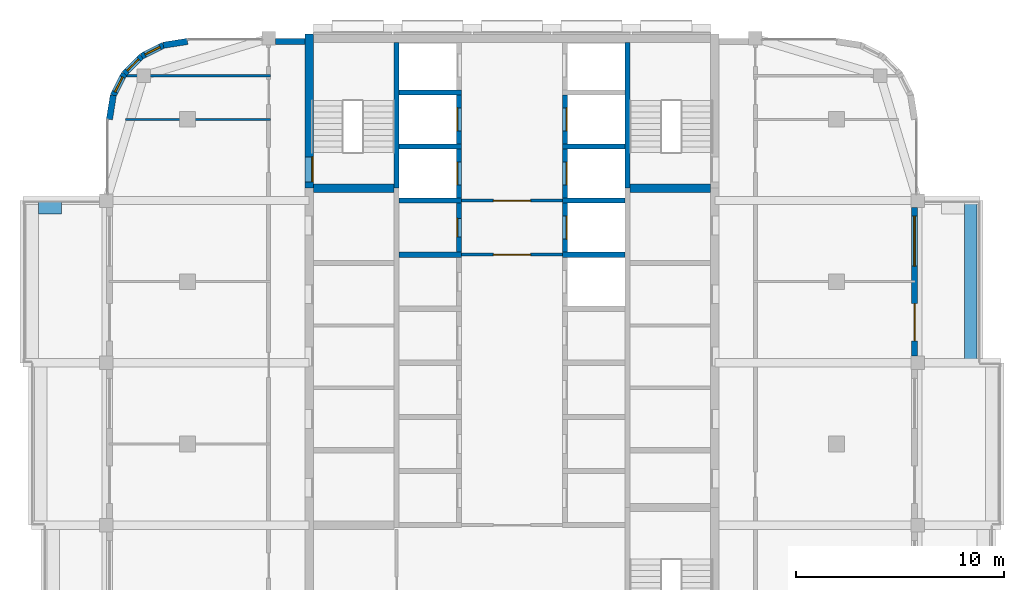
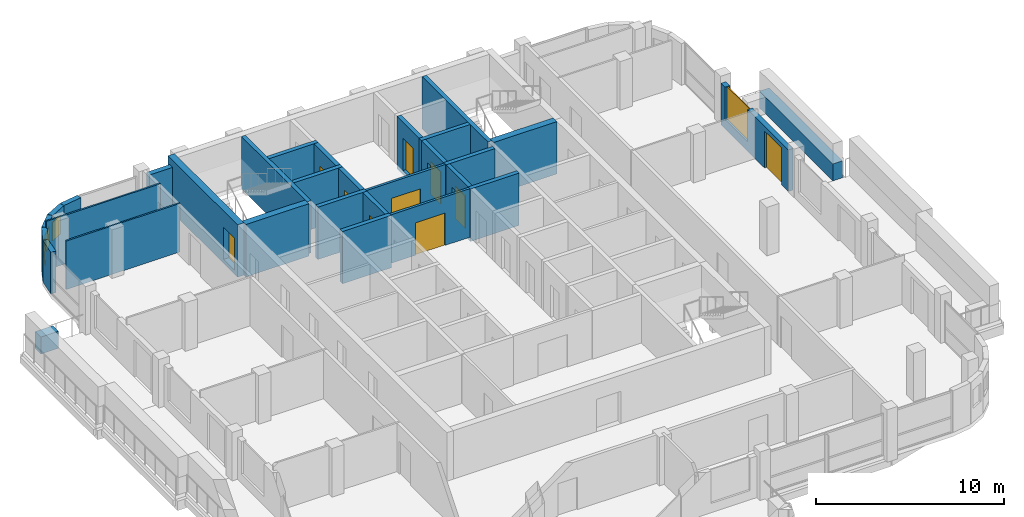
# One storey, part 13 of 19: 31 walls, 10 doors, 4 windows, 14 openings.
"""IFC4 building model written with IfcOpenShell, lengths in metres."""

from ifc_helpers import new_model, si_unit, direction, frame, frame_2d, origin, place, context, subcontext, project, spatial, rectangle, extrude, material, layer, layer_set, type_object, element, fill, save


model = new_model("IFC4")

# Units and contexts
model_context = context("Model", 3, precision=1e-05, world=origin(), true_north=direction((0.0, 1.0)))
body_context = subcontext(model_context, "Body", "Model", "MODEL_VIEW")
ifc_project = project(units=[si_unit("LENGTHUNIT", "METRE"), si_unit("AREAUNIT", "SQUARE_METRE"), si_unit("VOLUMEUNIT", "CUBIC_METRE"), si_unit("PLANEANGLEUNIT", "RADIAN"), si_unit("MASSUNIT", "GRAM", prefix="KILO")], contexts=[model_context])

# Site, building, storey
site_placement = place(None, origin())
site = spatial("IfcSite", under=ifc_project, at=site_placement, CompositionType="ELEMENT")
building_placement = place(site_placement, origin())
building = spatial("IfcBuilding", under=site, at=building_placement, Name="Ludao Terraces", CompositionType="ELEMENT")
storey_placement = place(building_placement, frame((0.0, 0.0, 256.199951171875)))
storey = spatial("IfcBuildingStorey", under=building, at=storey_placement, Name="L70", CompositionType="ELEMENT", Elevation=256.199951171875)

# Wall, opening, door
ifc_material_1 = material(Name="Concrete C50", Category="concrete")
ifc_layer_1 = layer(ifc_material_1, 0.39990234375)
ifc_layer_set_1 = layer_set([ifc_layer_1], Name="Core wall 400 C50")
wall_type_1 = type_object("IfcWallType", Name="Core wall 400 C50", PredefinedType="SOLIDWALL", material=ifc_layer_set_1)
wall_1_placement = place(storey_placement, frame((75.25, 77.300048828125, -0.25), z_axis=(0.0, 0.0, 1.0), x_axis=(0.0, 1.0, 0.0)))
wall_1 = element("IfcWall", 1, at=wall_1_placement, inside=storey, type_object=wall_type_1, Name="Core wall L70 outer-W-S1", PredefinedType="SOLIDWALL", context=body_context, shape_type="SweptSolid", body=[
    extrude(rectangle(XDim=7.39990234375, YDim=0.39990234375, at=frame_2d((3.699951171875, 0.0))), origin(), (0.0, 0.0, 1.0), 3.400146484375),
])
opening_1_placement = place(wall_1_placement, frame((0.300048828125, 0.0, 0.25)))
opening_1 = element("IfcOpeningElement", 2, at=opening_1_placement, cuts=wall_1, Name="Opening C4-039", PredefinedType="OPENING", context=body_context, shape_type="SweptSolid", body=[
    extrude(rectangle(XDim=1.199951171875, YDim=2.10009765625, at=frame_2d((0.60009765625, 1.050048828125))), frame((0.0, 0.2099609375, 0.0), z_axis=(0.0, -1.0, 0.0), x_axis=(1.0, 0.0, 0.0)), (0.0, 0.0, 1.0), 0.419921875),
])
ifc_material_2 = material(Name="Steel Q235", Category="steel")
door_type_1 = type_object("IfcDoorType", Name="INT Stair door 1200", OperationType="DOUBLE_DOOR_SINGLE_SWING", PredefinedType="DOOR", material=ifc_material_2)
door_1_placement = place(opening_1_placement, origin())
door_1 = element("IfcDoor", 3, at=door_1_placement, inside=storey, type_object=door_type_1, Name="DOOR 039", OperationType="DOUBLE_DOOR_SINGLE_SWING", OverallHeight=2.10009765625, OverallWidth=1.199951171875, PredefinedType="DOOR", context=body_context, shape_type="SweptSolid", body=[
    extrude(rectangle(XDim=1.199951171875, YDim=2.10009765625, at=frame_2d((0.60009765625, 1.050048828125))), frame((0.0, -0.134765625, 0.0), z_axis=(0.0, -1.0, 0.0), x_axis=(1.0, 0.0, 0.0)), (0.0, 0.0, 1.0), 0.050048828125),
])
fill(opening_1, door_1)

# Walls
ifc_material_3 = material(Name="Concrete C40", Category="concrete")
ifc_layer_2 = layer(ifc_material_3, 0.60009765625)
ifc_layer_set_2 = layer_set([ifc_layer_2], Name="ENV Planter trough 600")
wall_type_2 = type_object("IfcWallType", Name="ENV Planter trough 600", PredefinedType="USERDEFINED", material=ifc_layer_set_2)
wall_2_placement = place(storey_placement, frame((107.050048828125, 68.89990234375, 0.0), z_axis=(0.0, 0.0, 1.0), x_axis=(0.0, 1.0, 0.0)))
element("IfcWall", 4, at=wall_2_placement, inside=storey, type_object=wall_type_2, Name="PL-L70-E3", ObjectType="PLANTER", PredefinedType="USERDEFINED", context=body_context, shape_type="SweptSolid", body=[
    extrude(rectangle(XDim=7.800048828125, YDim=0.60009765625, at=frame_2d((3.89990234375, 0.0))), origin(), (0.0, 0.0, 1.0), 1.10009765625),
])
wall_3_placement = place(storey_placement, frame((62.25, 76.35009765625, 0.0), z_axis=(0.0, 0.0, 1.0), x_axis=(1.0, 0.0, 0.0)))
element("IfcWall", 5, at=wall_3_placement, inside=storey, type_object=wall_type_2, Name="PL-L70-W3-SB", ObjectType="PLANTER", PredefinedType="USERDEFINED", context=body_context, shape_type="SweptSolid", body=[
    extrude(rectangle(XDim=1.10009765625, YDim=0.60009765625, at=frame_2d((0.550048828125, 0.0))), origin(), (0.0, 0.0, 1.0), 1.10009765625),
])

# Wall, openings, door, window
ifc_material_4 = material(Name="Granite cladding", Category="masonry")
ifc_layer_3 = layer(ifc_material_4, 0.0400390625, Category="stone")
ifc_material_5 = material(Name="Mineral wool")
ifc_layer_4 = layer(ifc_material_5, 0.06005859375)
ifc_layer_5 = layer(ifc_material_3, 0.199951171875, Category="concrete")
ifc_layer_set_3 = layer_set([ifc_layer_3, ifc_layer_4, ifc_layer_5], Name="ENV Stone-clad wall 300")
wall_type_3 = type_object("IfcWallType", Name="ENV Stone-clad wall 300", PredefinedType="SOLIDWALL", material=ifc_layer_set_3)
wall_4_placement = place(storey_placement, frame((104.35009765625, 69.22509765625, 0.0), z_axis=(0.0, 0.0, 1.0), x_axis=(0.0, 1.0, 0.0)))
wall_4 = element("IfcWall", 6, at=wall_4_placement, inside=storey, type_object=wall_type_3, Name="EW-L70-E4", PredefinedType="SOLIDWALL", context=body_context, shape_type="SweptSolid", body=[
    extrude(rectangle(XDim=7.14990234375, YDim=0.300048828125, at=frame_2d((3.574951171875, 0.0))), origin(), (0.0, 0.0, 1.0), 2.699951171875),
])
opening_2_placement = place(wall_4_placement, frame((0.72509765625, 0.0, 0.0)))
opening_2 = element("IfcOpeningElement", 7, at=opening_2_placement, cuts=wall_4, Name="Opening BD", PredefinedType="OPENING", context=body_context, shape_type="SweptSolid", body=[
    extrude(rectangle(XDim=1.800048828125, YDim=2.39990234375, at=frame_2d((0.89990234375, 1.199951171875))), frame((0.0, 0.16015625, 0.0), z_axis=(0.0, -1.0, 0.0), x_axis=(1.0, 0.0, 0.0)), (0.0, 0.0, 1.0), 0.320068359375),
])
opening_3_placement = place(wall_4_placement, frame((4.324951171875, 0.0, 0.60009765625)))
opening_3 = element("IfcOpeningElement", 8, at=opening_3_placement, cuts=wall_4, Name="Opening W4", PredefinedType="OPENING", context=body_context, shape_type="SweptSolid", body=[
    extrude(rectangle(XDim=2.39990234375, YDim=2.10009765625, at=frame_2d((1.199951171875, 1.050048828125))), frame((0.0, 0.16015625, 0.0), z_axis=(0.0, -1.0, 0.0), x_axis=(1.0, 0.0, 0.0)), (0.0, 0.0, 1.0), 0.320068359375),
])
ifc_material_6 = material(Name="Aluminium glazed door", Category="aluminium")
ifc_layer_6 = layer(ifc_material_6, 0.06005859375)
ifc_layer_set_4 = layer_set([ifc_layer_6], Name="ENV Balcony door BD 1800x2400")
door_type_2 = type_object("IfcDoorType", Name="ENV Balcony door BD 1800x2400", OperationType="DOUBLE_DOOR_SINGLE_SWING", PredefinedType="DOOR", material=ifc_layer_set_4)
door_2_placement = place(opening_2_placement, origin())
door_2 = element("IfcDoor", 9, at=door_2_placement, inside=storey, type_object=door_type_2, Name="BD-L70-E4-1", OperationType="DOUBLE_DOOR_SINGLE_SWING", OverallHeight=2.39990234375, OverallWidth=1.800048828125, PredefinedType="DOOR", context=body_context, shape_type="SweptSolid", body=[
    extrude(rectangle(XDim=1.800048828125, YDim=2.39990234375, at=frame_2d((0.89990234375, 1.199951171875))), frame((0.0, 0.02490234375, 0.0), z_axis=(0.0, -1.0, 0.0), x_axis=(1.0, 0.0, 0.0)), (0.0, 0.0, 1.0), 0.050048828125),
])
fill(opening_2, door_2)
ifc_material_7 = material(Name="Clear glass in aluminium frame", Category="aluminium")
ifc_layer_7 = layer(ifc_material_7, 0.06005859375)
ifc_layer_set_5 = layer_set([ifc_layer_7], Name="ENV Window W4 2400x2100")
window_type_1 = type_object("IfcWindowType", Name="ENV Window W4 2400x2100", PartitioningType="SINGLE_PANEL", PredefinedType="WINDOW", material=ifc_layer_set_5)
window_1_placement = place(opening_3_placement, origin())
window_1 = element("IfcWindow", 10, at=window_1_placement, inside=storey, type_object=window_type_1, Name="W-L70-E4-2", OverallHeight=2.10009765625, OverallWidth=2.39990234375, PartitioningType="SINGLE_PANEL", PredefinedType="WINDOW", context=body_context, shape_type="SweptSolid", body=[
    extrude(rectangle(XDim=2.39990234375, YDim=2.10009765625, at=frame_2d((1.199951171875, 1.050048828125))), frame((0.0, 0.030029296875, 0.0), z_axis=(0.0, -1.0, 0.0), x_axis=(1.0, 0.0, 0.0)), (0.0, 0.0, 1.0), 0.06005859375),
])
fill(opening_3, window_1)

# Walls
wall_5_placement = place(storey_placement, frame((73.625, 84.35009765625, 0.0), z_axis=(0.0, 0.0, 1.0), x_axis=(1.0, 0.0, 0.0)))
element("IfcWall", 11, at=wall_5_placement, inside=storey, type_object=wall_type_3, Name="EW-L70-N2", PredefinedType="SOLIDWALL", context=body_context, shape_type="SweptSolid", body=[
    extrude(rectangle(XDim=1.425048828125, YDim=0.300048828125, at=frame_2d((0.71240234375, 0.0))), origin(), (0.0, 0.0, 1.0), 2.699951171875),
])
wall_6_placement = place(storey_placement, frame((69.39990234375, 84.35009765625, 0.0), z_axis=(0.0, 0.0, 1.0), x_axis=(-0.987678452879, -0.156496880861, 0.0)))
element("IfcWall", 12, at=wall_6_placement, inside=storey, type_object=wall_type_3, Name="EW-L70-NW1", PredefinedType="SOLIDWALL", context=body_context, shape_type="SweptSolid", body=[
    extrude(rectangle(XDim=1.173095703125, YDim=0.300048828125, at=frame_2d((0.58642578125, 0.0))), origin(), (0.0, 0.0, 1.0), 2.699951171875),
])

# Wall, opening, window
wall_7_placement = place(storey_placement, frame((68.2412109375, 84.16650390625, 0.0), z_axis=(0.0, 0.0, 1.0), x_axis=(-0.890988677504, -0.454025524128, 0.0)))
wall_7 = element("IfcWall", 13, at=wall_7_placement, inside=storey, type_object=wall_type_3, Name="EW-L70-NW2", PredefinedType="SOLIDWALL", context=body_context, shape_type="SweptSolid", body=[
    extrude(rectangle(XDim=1.17333984375, YDim=0.300048828125, at=frame_2d((0.586669921875, 0.0))), origin(), (0.0, 0.0, 1.0), 2.699951171875),
])
opening_4_placement = place(wall_7_placement, frame((0.1865234375, 0.0, 0.89990234375)))
opening_4 = element("IfcOpeningElement", 14, at=opening_4_placement, cuts=wall_7, Name="Opening W3", PredefinedType="OPENING", context=body_context, shape_type="SweptSolid", body=[
    extrude(rectangle(XDim=0.800048828125, YDim=1.199951171875, at=frame_2d((0.39990234375, 0.60009765625))), frame((0.0, 0.16015625, 0.0), z_axis=(0.0, -1.0, 0.0), x_axis=(1.0, 0.0, 0.0)), (0.0, 0.0, 1.0), 0.320068359375),
])
ifc_layer_8 = layer(ifc_material_7, 0.06005859375)
ifc_layer_set_6 = layer_set([ifc_layer_8], Name="ENV Window W3 800x1200")
window_type_2 = type_object("IfcWindowType", Name="ENV Window W3 800x1200", PartitioningType="SINGLE_PANEL", PredefinedType="WINDOW", material=ifc_layer_set_6)
window_2_placement = place(opening_4_placement, origin())
window_2 = element("IfcWindow", 15, at=window_2_placement, inside=storey, type_object=window_type_2, Name="W-L70-NW2", OverallHeight=1.199951171875, OverallWidth=0.800048828125, PartitioningType="SINGLE_PANEL", PredefinedType="WINDOW", context=body_context, shape_type="SweptSolid", body=[
    extrude(rectangle(XDim=0.800048828125, YDim=1.199951171875, at=frame_2d((0.39990234375, 0.60009765625))), frame((0.0, 0.030029296875, 0.0), z_axis=(0.0, -1.0, 0.0), x_axis=(1.0, 0.0, 0.0)), (0.0, 0.0, 1.0), 0.06005859375),
])
fill(opening_4, window_2)

wall_8_placement = place(storey_placement, frame((67.19580078125, 83.6337890625, 0.0), z_axis=(0.0, 0.0, 1.0), x_axis=(-0.707106781187, -0.707106781187, 0.0)))
wall_8 = element("IfcWall", 16, at=wall_8_placement, inside=storey, type_object=wall_type_3, Name="EW-L70-NW3", PredefinedType="SOLIDWALL", context=body_context, shape_type="SweptSolid", body=[
    extrude(rectangle(XDim=1.173095703125, YDim=0.300048828125, at=frame_2d((0.58642578125, 0.0))), origin(), (0.0, 0.0, 1.0), 2.699951171875),
])
opening_5_placement = place(wall_8_placement, frame((0.1865234375, 0.0, 0.89990234375)))
opening_5 = element("IfcOpeningElement", 17, at=opening_5_placement, cuts=wall_8, Name="Opening W3", PredefinedType="OPENING", context=body_context, shape_type="SweptSolid", body=[
    extrude(rectangle(XDim=0.800048828125, YDim=1.199951171875, at=frame_2d((0.39990234375, 0.60009765625))), frame((0.0, 0.16015625, 0.0), z_axis=(0.0, -1.0, 0.0), x_axis=(1.0, 0.0, 0.0)), (0.0, 0.0, 1.0), 0.320068359375),
])
window_3_placement = place(opening_5_placement, origin())
window_3 = element("IfcWindow", 18, at=window_3_placement, inside=storey, type_object=window_type_2, Name="W-L70-NW3", OverallHeight=1.199951171875, OverallWidth=0.800048828125, PartitioningType="SINGLE_PANEL", PredefinedType="WINDOW", context=body_context, shape_type="SweptSolid", body=[
    extrude(rectangle(XDim=0.800048828125, YDim=1.199951171875, at=frame_2d((0.39990234375, 0.60009765625))), frame((0.0, 0.030029296875, 0.0), z_axis=(0.0, -1.0, 0.0), x_axis=(1.0, 0.0, 0.0)), (0.0, 0.0, 1.0), 0.06005859375),
])
fill(opening_5, window_3)

wall_9_placement = place(storey_placement, frame((66.3662109375, 82.80419921875, 0.0), z_axis=(0.0, 0.0, 1.0), x_axis=(-0.454025524128, -0.890988677504, 0.0)))
wall_9 = element("IfcWall", 19, at=wall_9_placement, inside=storey, type_object=wall_type_3, Name="EW-L70-NW4", PredefinedType="SOLIDWALL", context=body_context, shape_type="SweptSolid", body=[
    extrude(rectangle(XDim=1.17333984375, YDim=0.300048828125, at=frame_2d((0.586669921875, 0.0))), origin(), (0.0, 0.0, 1.0), 2.699951171875),
])
opening_6_placement = place(wall_9_placement, frame((0.1865234375, 0.0, 0.89990234375)))
opening_6 = element("IfcOpeningElement", 20, at=opening_6_placement, cuts=wall_9, Name="Opening W3", PredefinedType="OPENING", context=body_context, shape_type="SweptSolid", body=[
    extrude(rectangle(XDim=0.800048828125, YDim=1.199951171875, at=frame_2d((0.39990234375, 0.60009765625))), frame((0.0, 0.16015625, 0.0), z_axis=(0.0, -1.0, 0.0), x_axis=(1.0, 0.0, 0.0)), (0.0, 0.0, 1.0), 0.320068359375),
])
window_4_placement = place(opening_6_placement, origin())
window_4 = element("IfcWindow", 21, at=window_4_placement, inside=storey, type_object=window_type_2, Name="W-L70-NW4", OverallHeight=1.199951171875, OverallWidth=0.800048828125, PartitioningType="SINGLE_PANEL", PredefinedType="WINDOW", context=body_context, shape_type="SweptSolid", body=[
    extrude(rectangle(XDim=0.800048828125, YDim=1.199951171875, at=frame_2d((0.39990234375, 0.60009765625))), frame((0.0, 0.030029296875, 0.0), z_axis=(0.0, -1.0, 0.0), x_axis=(1.0, 0.0, 0.0)), (0.0, 0.0, 1.0), 0.06005859375),
])
fill(opening_6, window_4)

# Wall
wall_10_placement = place(storey_placement, frame((65.83349609375, 81.7587890625, 0.0), z_axis=(0.0, 0.0, 1.0), x_axis=(-0.156496880861, -0.987678452879, 0.0)))
element("IfcWall", 22, at=wall_10_placement, inside=storey, type_object=wall_type_3, Name="EW-L70-NW5", PredefinedType="SOLIDWALL", context=body_context, shape_type="SweptSolid", body=[
    extrude(rectangle(XDim=1.173095703125, YDim=0.300048828125, at=frame_2d((0.58642578125, 0.0))), origin(), (0.0, 0.0, 1.0), 2.699951171875),
])

# Wall, opening, door
ifc_material_8 = material(Name="Fire-rated gypsum plasterboard", Category="gypsum")
ifc_layer_9 = layer(ifc_material_8, 0.012451171875, Category="gypsum")
ifc_layer_10 = layer(ifc_material_5, 0.10009765625, Name="insulation")
ifc_layer_11 = layer(ifc_material_2, 0.02490234375, Name="stud")
ifc_layer_12 = layer(ifc_material_8, 0.012451171875, Category="gypsum")
ifc_layer_set_7 = layer_set([ifc_layer_9, ifc_layer_10, ifc_layer_11, ifc_layer_12], Name="INT Core partition 150")
wall_type_4 = type_object("IfcWallType", Name="INT Core partition 150", PredefinedType="PARTITIONING", material=ifc_layer_set_7)
wall_11_placement = place(storey_placement, frame((82.5751953125, 74.10009765625, 0.0), z_axis=(0.0, 0.0, 1.0), x_axis=(1.0, 0.0, 0.0)))
wall_11 = element("IfcWall", 23, at=wall_11_placement, inside=storey, type_object=wall_type_4, Name="PW-L70-PW011", PredefinedType="PARTITIONING", context=body_context, shape_type="SweptSolid", body=[
    extrude(rectangle(XDim=4.849853515625, YDim=0.14990234375, at=frame_2d((2.4248046875, 0.0))), origin(), (0.0, 0.0, 1.0), 3.150146484375),
])
opening_7_placement = place(wall_11_placement, frame((1.52490234375, 0.0, 0.0)))
opening_7 = element("IfcOpeningElement", 24, at=opening_7_placement, cuts=wall_11, Name="Opening C4-031", PredefinedType="OPENING", context=body_context, shape_type="SweptSolid", body=[
    extrude(rectangle(XDim=1.800048828125, YDim=2.10009765625, at=frame_2d((0.89990234375, 1.050048828125))), frame((0.0, 0.0849609375, 0.0), z_axis=(0.0, -1.0, 0.0), x_axis=(1.0, 0.0, 0.0)), (0.0, 0.0, 1.0), 0.169921875),
])
door_type_3 = type_object("IfcDoorType", Name="INT Fire lobby door 1800", OperationType="DOUBLE_DOOR_SINGLE_SWING", PredefinedType="DOOR", material=ifc_material_2)
door_3_placement = place(opening_7_placement, origin())
door_3 = element("IfcDoor", 25, at=door_3_placement, inside=storey, type_object=door_type_3, Name="DOOR 031", OperationType="DOUBLE_DOOR_SINGLE_SWING", OverallHeight=2.10009765625, OverallWidth=1.800048828125, PredefinedType="DOOR", context=body_context, shape_type="SweptSolid", body=[
    extrude(rectangle(XDim=1.800048828125, YDim=2.10009765625, at=frame_2d((0.89990234375, 1.050048828125))), frame((0.0, 0.02490234375, 0.0), z_axis=(0.0, -1.0, 0.0), x_axis=(1.0, 0.0, 0.0)), (0.0, 0.0, 1.0), 0.050048828125),
])
fill(opening_7, door_3)

wall_12_placement = place(storey_placement, frame((82.5751953125, 76.699951171875, 0.0), z_axis=(0.0, 0.0, 1.0), x_axis=(1.0, 0.0, 0.0)))
wall_12 = element("IfcWall", 26, at=wall_12_placement, inside=storey, type_object=wall_type_4, Name="PW-L70-PW012", PredefinedType="PARTITIONING", context=body_context, shape_type="SweptSolid", body=[
    extrude(rectangle(XDim=4.849853515625, YDim=0.14990234375, at=frame_2d((2.4248046875, 0.0))), origin(), (0.0, 0.0, 1.0), 3.150146484375),
])
opening_8_placement = place(wall_12_placement, frame((1.52490234375, 0.0, 0.0)))
opening_8 = element("IfcOpeningElement", 27, at=opening_8_placement, cuts=wall_12, Name="Opening C4-036", PredefinedType="OPENING", context=body_context, shape_type="SweptSolid", body=[
    extrude(rectangle(XDim=1.800048828125, YDim=2.10009765625, at=frame_2d((0.89990234375, 1.050048828125))), frame((0.0, 0.0849609375, 0.0), z_axis=(0.0, -1.0, 0.0), x_axis=(1.0, 0.0, 0.0)), (0.0, 0.0, 1.0), 0.169921875),
])
door_4_placement = place(opening_8_placement, origin())
door_4 = element("IfcDoor", 28, at=door_4_placement, inside=storey, type_object=door_type_3, Name="DOOR 036", OperationType="DOUBLE_DOOR_SINGLE_SWING", OverallHeight=2.10009765625, OverallWidth=1.800048828125, PredefinedType="DOOR", context=body_context, shape_type="SweptSolid", body=[
    extrude(rectangle(XDim=1.800048828125, YDim=2.10009765625, at=frame_2d((0.89990234375, 1.050048828125))), frame((0.0, 0.02490234375, 0.0), z_axis=(0.0, -1.0, 0.0), x_axis=(1.0, 0.0, 0.0)), (0.0, 0.0, 1.0), 0.050048828125),
])
fill(opening_8, door_4)

# Walls
ifc_material_9 = material(Name="Gypsum plasterboard", Category="gypsum")
ifc_layer_13 = layer(ifc_material_9, 0.012451171875, Category="gypsum")
ifc_layer_14 = layer(ifc_material_5, 0.06005859375, Name="insulation")
ifc_layer_15 = layer(ifc_material_2, 0.014892578125, Name="stud")
ifc_layer_16 = layer(ifc_material_9, 0.012451171875, Category="gypsum")
ifc_layer_set_8 = layer_set([ifc_layer_13, ifc_layer_14, ifc_layer_15, ifc_layer_16], Name="INT Partition 100")
wall_type_5 = type_object("IfcWallType", Name="INT Partition 100", PredefinedType="PARTITIONING", material=ifc_layer_set_8)
for number, where, z_axis, x_axis, name in (
    (29, (66.409912109375, 80.60009765625, 0.0), (0.0, 0.0, 1.0), (1.0, 0.0, 0.0), "PW-L70-PW013"),
    (30, (66.409912109375, 82.699951171875, 0.0), (0.0, 0.0, 1.0), (1.0, 0.0, 0.0), "PW-L70-PW015"),
):
    element("IfcWall", number, at=place(storey_placement, frame(where, z_axis=z_axis, x_axis=x_axis)), inside=storey, type_object=wall_type_5, Name=name, PredefinedType="PARTITIONING", context=body_context, shape_type="SweptSolid", body=[
        extrude(rectangle(XDim=6.990234375, YDim=0.10009765625, at=frame_2d((3.4951171875, 0.0))), origin(), (0.0, 0.0, 1.0), 3.150146484375),
    ])
ifc_layer_17 = layer(ifc_material_1, 0.25)
ifc_layer_set_9 = layer_set([ifc_layer_17], Name="Shaft wall 250 C50")
wall_type_6 = type_object("IfcWallType", Name="Shaft wall 250 C50", PredefinedType="SOLIDWALL", material=ifc_layer_set_9)
for number, where, z_axis, x_axis, name in (
    (31, (79.449951171875, 77.300048828125, -0.25), (0.0, 0.0, 1.0), (0.0, 1.0, 0.0), "Core wall L70 back-W-S1"),
    (32, (90.550048828125, 77.300048828125, -0.25), (0.0, 0.0, 1.0), (0.0, 1.0, 0.0), "Core wall L70 back-E-S2"),
):
    element("IfcWall", number, at=place(storey_placement, frame(where, z_axis=z_axis, x_axis=x_axis)), inside=storey, type_object=wall_type_6, Name=name, PredefinedType="SOLIDWALL", context=body_context, shape_type="SweptSolid", body=[
        extrude(rectangle(XDim=7.0, YDim=0.25, at=frame_2d((3.5, 0.0))), origin(), (0.0, 0.0, 1.0), 3.400146484375),
    ])
wall_13_placement = place(storey_placement, frame((79.574951171875, 74.10009765625, -0.25), z_axis=(0.0, 0.0, 1.0), x_axis=(1.0, 0.0, 0.0)))
element("IfcWall", 33, at=wall_13_placement, inside=storey, type_object=wall_type_6, Name="Core wall L70 div-W6", PredefinedType="SOLIDWALL", context=body_context, shape_type="SweptSolid", body=[
    extrude(rectangle(XDim=3.0, YDim=0.25, at=frame_2d((1.5, 0.0))), origin(), (0.0, 0.0, 1.0), 3.400146484375),
])

# Wall, opening, door
wall_14_placement = place(storey_placement, frame((82.449951171875, 74.22509765625, -0.25), z_axis=(0.0, 0.0, 1.0), x_axis=(0.0, 1.0, 0.0)))
wall_14 = element("IfcWall", 34, at=wall_14_placement, inside=storey, type_object=wall_type_6, Name="Core wall L70 front-W6", PredefinedType="SOLIDWALL", context=body_context, shape_type="SweptSolid", body=[
    extrude(rectangle(XDim=2.349853515625, YDim=0.25, at=frame_2d((1.1748046875, 0.0))), origin(), (0.0, 0.0, 1.0), 3.400146484375),
])
opening_9_placement = place(wall_14_placement, frame((0.72509765625, 0.0, 0.25)))
opening_9 = element("IfcOpeningElement", 35, at=opening_9_placement, cuts=wall_14, Name="Opening C4-032", PredefinedType="OPENING", context=body_context, shape_type="SweptSolid", body=[
    extrude(rectangle(XDim=0.89990234375, YDim=2.10009765625, at=frame_2d((0.449951171875, 1.050048828125))), frame((0.0, 0.135009765625, 0.0), z_axis=(0.0, -1.0, 0.0), x_axis=(1.0, 0.0, 0.0)), (0.0, 0.0, 1.0), 0.27001953125),
])
ifc_material_10 = material(Name="Timber door leaf", Category="wood")
door_type_4 = type_object("IfcDoorType", Name="INT Room door 900", OperationType="SINGLE_SWING_LEFT", PredefinedType="DOOR", material=ifc_material_10)
door_5_placement = place(opening_9_placement, origin())
door_5 = element("IfcDoor", 36, at=door_5_placement, inside=storey, type_object=door_type_4, Name="DOOR 032", OperationType="SINGLE_SWING_LEFT", OverallHeight=2.10009765625, OverallWidth=0.89990234375, PredefinedType="DOOR", context=body_context, shape_type="SweptSolid", body=[
    extrude(rectangle(XDim=0.89990234375, YDim=2.10009765625, at=frame_2d((0.449951171875, 1.050048828125))), frame((0.0, 0.10986328125, 0.0), z_axis=(0.0, -1.0, 0.0), x_axis=(1.0, 0.0, 0.0)), (0.0, 0.0, 1.0), 0.050048828125),
])
fill(opening_9, door_5)

# Wall
wall_15_placement = place(storey_placement, frame((79.574951171875, 76.699951171875, -0.25), z_axis=(0.0, 0.0, 1.0), x_axis=(1.0, 0.0, 0.0)))
element("IfcWall", 37, at=wall_15_placement, inside=storey, type_object=wall_type_6, Name="Core wall L70 div-W7", PredefinedType="SOLIDWALL", context=body_context, shape_type="SweptSolid", body=[
    extrude(rectangle(XDim=3.0, YDim=0.25, at=frame_2d((1.5, 0.0))), origin(), (0.0, 0.0, 1.0), 3.400146484375),
])

# Wall, opening, door
wall_16_placement = place(storey_placement, frame((82.449951171875, 76.824951171875, -0.25), z_axis=(0.0, 0.0, 1.0), x_axis=(0.0, 1.0, 0.0)))
wall_16 = element("IfcWall", 38, at=wall_16_placement, inside=storey, type_object=wall_type_6, Name="Core wall L70 front-W7", PredefinedType="SOLIDWALL", context=body_context, shape_type="SweptSolid", body=[
    extrude(rectangle(XDim=2.35009765625, YDim=0.25, at=frame_2d((1.175048828125, 0.0))), origin(), (0.0, 0.0, 1.0), 3.400146484375),
])
opening_10_placement = place(wall_16_placement, frame((0.625, 0.0, 0.25)))
opening_10 = element("IfcOpeningElement", 39, at=opening_10_placement, cuts=wall_16, Name="Opening LD-FF1", PredefinedType="OPENING", context=body_context, shape_type="SweptSolid", body=[
    extrude(rectangle(XDim=1.10009765625, YDim=2.10009765625, at=frame_2d((0.550048828125, 1.050048828125))), frame((0.0, 0.135009765625, 0.0), z_axis=(0.0, -1.0, 0.0), x_axis=(1.0, 0.0, 0.0)), (0.0, 0.0, 1.0), 0.27001953125),
])
ifc_material_11 = material(Name="Stainless steel 304", Category="steel")
door_type_5 = type_object("IfcDoorType", Name="INT Lift landing door 1100", OperationType="SLIDING_TO_LEFT", PredefinedType="DOOR", material=ifc_material_11)
door_6_placement = place(opening_10_placement, origin())
door_6 = element("IfcDoor", 40, at=door_6_placement, inside=storey, type_object=door_type_5, Name="LANDING DOOR FF1 L70", OperationType="SLIDING_TO_LEFT", OverallHeight=2.10009765625, OverallWidth=1.10009765625, PredefinedType="DOOR", context=body_context, shape_type="SweptSolid", body=[
    extrude(rectangle(XDim=1.10009765625, YDim=2.10009765625, at=frame_2d((0.550048828125, 1.050048828125))), frame((0.0, 0.10986328125, 0.0), z_axis=(0.0, -1.0, 0.0), x_axis=(1.0, 0.0, 0.0)), (0.0, 0.0, 1.0), 0.050048828125),
])
fill(opening_10, door_6)

# Wall
wall_17_placement = place(storey_placement, frame((79.574951171875, 79.300048828125, -0.25), z_axis=(0.0, 0.0, 1.0), x_axis=(1.0, 0.0, 0.0)))
element("IfcWall", 41, at=wall_17_placement, inside=storey, type_object=wall_type_6, Name="Core wall L70 div-W8", PredefinedType="SOLIDWALL", context=body_context, shape_type="SweptSolid", body=[
    extrude(rectangle(XDim=3.0, YDim=0.25, at=frame_2d((1.5, 0.0))), origin(), (0.0, 0.0, 1.0), 3.400146484375),
])

# Wall, opening, door
wall_18_placement = place(storey_placement, frame((82.449951171875, 79.425048828125, -0.25), z_axis=(0.0, 0.0, 1.0), x_axis=(0.0, 1.0, 0.0)))
wall_18 = element("IfcWall", 42, at=wall_18_placement, inside=storey, type_object=wall_type_6, Name="Core wall L70 front-W8", PredefinedType="SOLIDWALL", context=body_context, shape_type="SweptSolid", body=[
    extrude(rectangle(XDim=2.349853515625, YDim=0.25, at=frame_2d((1.1748046875, 0.0))), origin(), (0.0, 0.0, 1.0), 3.400146484375),
])
opening_11_placement = place(wall_18_placement, frame((0.625, 0.0, 0.25)))
opening_11 = element("IfcOpeningElement", 43, at=opening_11_placement, cuts=wall_18, Name="Opening LD-FF2", PredefinedType="OPENING", context=body_context, shape_type="SweptSolid", body=[
    extrude(rectangle(XDim=1.10009765625, YDim=2.10009765625, at=frame_2d((0.550048828125, 1.050048828125))), frame((0.0, 0.135009765625, 0.0), z_axis=(0.0, -1.0, 0.0), x_axis=(1.0, 0.0, 0.0)), (0.0, 0.0, 1.0), 0.27001953125),
])
door_7_placement = place(opening_11_placement, origin())
door_7 = element("IfcDoor", 44, at=door_7_placement, inside=storey, type_object=door_type_5, Name="LANDING DOOR FF2 L70", OperationType="SLIDING_TO_LEFT", OverallHeight=2.10009765625, OverallWidth=1.10009765625, PredefinedType="DOOR", context=body_context, shape_type="SweptSolid", body=[
    extrude(rectangle(XDim=1.10009765625, YDim=2.10009765625, at=frame_2d((0.550048828125, 1.050048828125))), frame((0.0, 0.10986328125, 0.0), z_axis=(0.0, -1.0, 0.0), x_axis=(1.0, 0.0, 0.0)), (0.0, 0.0, 1.0), 0.050048828125),
])
fill(opening_11, door_7)

# Walls
for number, where, z_axis, x_axis, name in (
    (45, (79.574951171875, 81.89990234375, -0.25), (0.0, 0.0, 1.0), (1.0, 0.0, 0.0), "Core wall L70 div-W9"),
    (46, (87.425048828125, 74.10009765625, -0.25), (0.0, 0.0, 1.0), (1.0, 0.0, 0.0), "Core wall L70 div-E6"),
):
    element("IfcWall", number, at=place(storey_placement, frame(where, z_axis=z_axis, x_axis=x_axis)), inside=storey, type_object=wall_type_6, Name=name, PredefinedType="SOLIDWALL", context=body_context, shape_type="SweptSolid", body=[
        extrude(rectangle(XDim=3.0, YDim=0.25, at=frame_2d((1.5, 0.0))), origin(), (0.0, 0.0, 1.0), 3.400146484375),
    ])

# Wall, opening, door
wall_19_placement = place(storey_placement, frame((87.550048828125, 74.22509765625, -0.25), z_axis=(0.0, 0.0, 1.0), x_axis=(0.0, 1.0, 0.0)))
wall_19 = element("IfcWall", 47, at=wall_19_placement, inside=storey, type_object=wall_type_6, Name="Core wall L70 front-E6", PredefinedType="SOLIDWALL", context=body_context, shape_type="SweptSolid", body=[
    extrude(rectangle(XDim=2.349853515625, YDim=0.25, at=frame_2d((1.1748046875, 0.0))), origin(), (0.0, 0.0, 1.0), 3.400146484375),
])
opening_12_placement = place(wall_19_placement, frame((0.625, 0.0, 0.25)))
opening_12 = element("IfcOpeningElement", 48, at=opening_12_placement, cuts=wall_19, Name="Opening LD-LB2", PredefinedType="OPENING", context=body_context, shape_type="SweptSolid", body=[
    extrude(rectangle(XDim=1.10009765625, YDim=2.10009765625, at=frame_2d((0.550048828125, 1.050048828125))), frame((0.0, 0.135009765625, 0.0), z_axis=(0.0, -1.0, 0.0), x_axis=(1.0, 0.0, 0.0)), (0.0, 0.0, 1.0), 0.27001953125),
])
door_8_placement = place(opening_12_placement, origin())
door_8 = element("IfcDoor", 49, at=door_8_placement, inside=storey, type_object=door_type_5, Name="LANDING DOOR LB2 L70", OperationType="SLIDING_TO_LEFT", OverallHeight=2.10009765625, OverallWidth=1.10009765625, PredefinedType="DOOR", context=body_context, shape_type="SweptSolid", body=[
    extrude(rectangle(XDim=1.10009765625, YDim=2.10009765625, at=frame_2d((0.550048828125, 1.050048828125))), frame((0.0, -0.06005859375, 0.0), z_axis=(0.0, -1.0, 0.0), x_axis=(1.0, 0.0, 0.0)), (0.0, 0.0, 1.0), 0.050048828125),
])
fill(opening_12, door_8)

# Wall
wall_20_placement = place(storey_placement, frame((87.425048828125, 76.699951171875, -0.25), z_axis=(0.0, 0.0, 1.0), x_axis=(1.0, 0.0, 0.0)))
element("IfcWall", 50, at=wall_20_placement, inside=storey, type_object=wall_type_6, Name="Core wall L70 div-E7", PredefinedType="SOLIDWALL", context=body_context, shape_type="SweptSolid", body=[
    extrude(rectangle(XDim=3.0, YDim=0.25, at=frame_2d((1.5, 0.0))), origin(), (0.0, 0.0, 1.0), 3.400146484375),
])

# Wall, opening, door
wall_21_placement = place(storey_placement, frame((87.550048828125, 76.824951171875, -0.25), z_axis=(0.0, 0.0, 1.0), x_axis=(0.0, 1.0, 0.0)))
wall_21 = element("IfcWall", 51, at=wall_21_placement, inside=storey, type_object=wall_type_6, Name="Core wall L70 front-E7", PredefinedType="SOLIDWALL", context=body_context, shape_type="SweptSolid", body=[
    extrude(rectangle(XDim=2.35009765625, YDim=0.25, at=frame_2d((1.175048828125, 0.0))), origin(), (0.0, 0.0, 1.0), 3.400146484375),
])
opening_13_placement = place(wall_21_placement, frame((0.625, 0.0, 0.25)))
opening_13 = element("IfcOpeningElement", 52, at=opening_13_placement, cuts=wall_21, Name="Opening LD-LB3", PredefinedType="OPENING", context=body_context, shape_type="SweptSolid", body=[
    extrude(rectangle(XDim=1.10009765625, YDim=2.10009765625, at=frame_2d((0.550048828125, 1.050048828125))), frame((0.0, 0.135009765625, 0.0), z_axis=(0.0, -1.0, 0.0), x_axis=(1.0, 0.0, 0.0)), (0.0, 0.0, 1.0), 0.27001953125),
])
door_9_placement = place(opening_13_placement, origin())
door_9 = element("IfcDoor", 53, at=door_9_placement, inside=storey, type_object=door_type_5, Name="LANDING DOOR LB3 L70", OperationType="SLIDING_TO_LEFT", OverallHeight=2.10009765625, OverallWidth=1.10009765625, PredefinedType="DOOR", context=body_context, shape_type="SweptSolid", body=[
    extrude(rectangle(XDim=1.10009765625, YDim=2.10009765625, at=frame_2d((0.550048828125, 1.050048828125))), frame((0.0, -0.06005859375, 0.0), z_axis=(0.0, -1.0, 0.0), x_axis=(1.0, 0.0, 0.0)), (0.0, 0.0, 1.0), 0.050048828125),
])
fill(opening_13, door_9)

# Wall
wall_22_placement = place(storey_placement, frame((87.425048828125, 79.300048828125, -0.25), z_axis=(0.0, 0.0, 1.0), x_axis=(1.0, 0.0, 0.0)))
element("IfcWall", 54, at=wall_22_placement, inside=storey, type_object=wall_type_6, Name="Core wall L70 div-E8", PredefinedType="SOLIDWALL", context=body_context, shape_type="SweptSolid", body=[
    extrude(rectangle(XDim=3.0, YDim=0.25, at=frame_2d((1.5, 0.0))), origin(), (0.0, 0.0, 1.0), 3.400146484375),
])

# Wall, opening, door
wall_23_placement = place(storey_placement, frame((87.550048828125, 79.425048828125, -0.25), z_axis=(0.0, 0.0, 1.0), x_axis=(0.0, 1.0, 0.0)))
wall_23 = element("IfcWall", 55, at=wall_23_placement, inside=storey, type_object=wall_type_6, Name="Core wall L70 front-E8", PredefinedType="SOLIDWALL", context=body_context, shape_type="SweptSolid", body=[
    extrude(rectangle(XDim=2.349853515625, YDim=0.25, at=frame_2d((1.1748046875, 0.0))), origin(), (0.0, 0.0, 1.0), 3.400146484375),
])
opening_14_placement = place(wall_23_placement, frame((0.625, 0.0, 0.25)))
opening_14 = element("IfcOpeningElement", 56, at=opening_14_placement, cuts=wall_23, Name="Opening LD-LB4", PredefinedType="OPENING", context=body_context, shape_type="SweptSolid", body=[
    extrude(rectangle(XDim=1.10009765625, YDim=2.10009765625, at=frame_2d((0.550048828125, 1.050048828125))), frame((0.0, 0.135009765625, 0.0), z_axis=(0.0, -1.0, 0.0), x_axis=(1.0, 0.0, 0.0)), (0.0, 0.0, 1.0), 0.27001953125),
])
door_10_placement = place(opening_14_placement, origin())
door_10 = element("IfcDoor", 57, at=door_10_placement, inside=storey, type_object=door_type_5, Name="LANDING DOOR LB4 L70", OperationType="SLIDING_TO_RIGHT", OverallHeight=2.10009765625, OverallWidth=1.10009765625, PredefinedType="DOOR", context=body_context, shape_type="SweptSolid", body=[
    extrude(rectangle(XDim=1.10009765625, YDim=2.10009765625, at=frame_2d((0.550048828125, 1.050048828125))), frame((0.0, -0.06005859375, 0.0), z_axis=(0.0, -1.0, 0.0), x_axis=(1.0, 0.0, 0.0)), (0.0, 0.0, 1.0), 0.050048828125),
])
fill(opening_14, door_10)

# Walls
ifc_layer_18 = layer(ifc_material_1, 0.39990234375)
ifc_layer_set_10 = layer_set([ifc_layer_18], Name="Shaft wall 400 C50")
wall_type_7 = type_object("IfcWallType", Name="Shaft wall 400 C50", PredefinedType="SOLIDWALL", material=ifc_layer_set_10)
for number, where, z_axis, x_axis, name in (
    (58, (75.449951171875, 77.300048828125, -0.25), (0.0, 0.0, 1.0), (1.0, 0.0, 0.0), "Core wall L70 stair-W"),
    (59, (90.675048828125, 77.300048828125, -0.25), (0.0, 0.0, 1.0), (1.0, 0.0, 0.0), "Core wall L70 stair-E"),
):
    element("IfcWall", number, at=place(storey_placement, frame(where, z_axis=z_axis, x_axis=x_axis)), inside=storey, type_object=wall_type_7, Name=name, PredefinedType="SOLIDWALL", context=body_context, shape_type="SweptSolid", body=[
        extrude(rectangle(XDim=3.875, YDim=0.39990234375, at=frame_2d((1.9375, 0.0))), origin(), (0.0, 0.0, 1.0), 3.400146484375),
    ])

save(model, "model.ifc")
